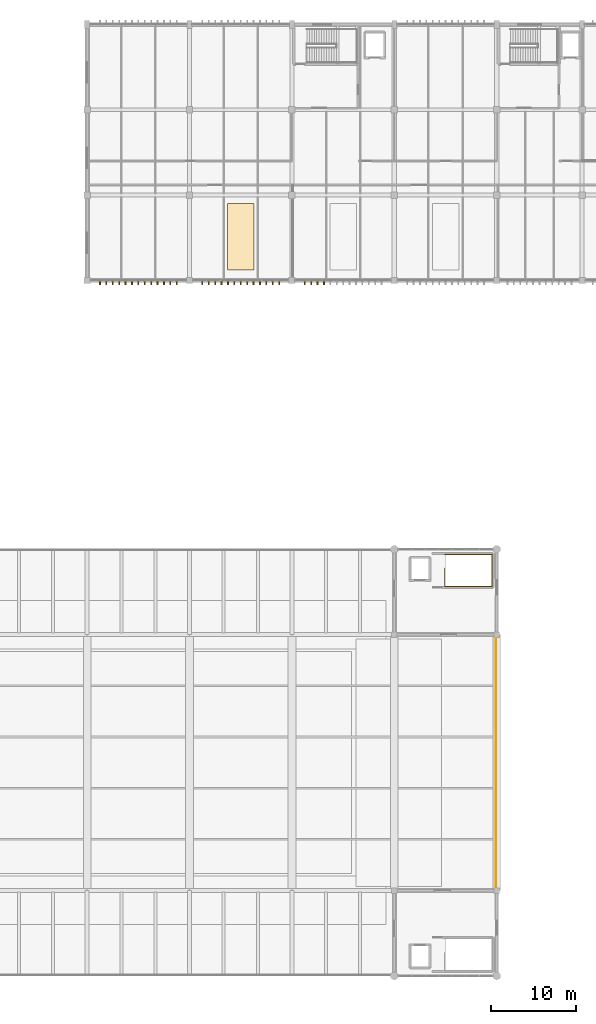
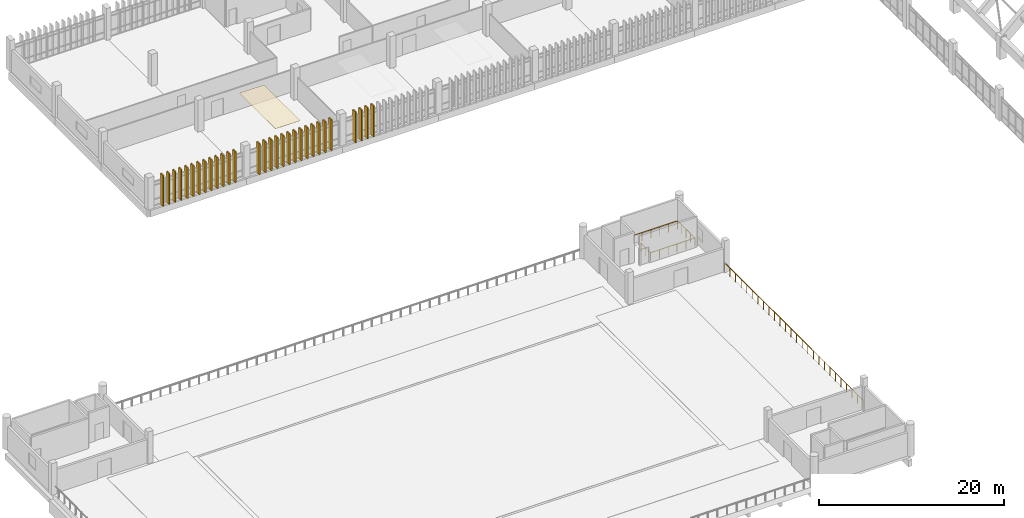
# One storey, part 109 of 111: 30 shading devices, 2 railings, 1 covering.
"""IFC4 building model written with IfcOpenShell, lengths in metres."""

from ifc_helpers import new_model, si_unit, direction, frame, origin, origin_2d, place, context, subcontext, project, spatial, polyline, rectangle, circle, outline, extrude, material, layer, layer_set, type_object, element, save


model = new_model("IFC4")

# Units and contexts
model_context = context("Model", 3, precision=1e-05, world=origin(), true_north=direction((0.0, 1.0)))
body_context = subcontext(model_context, "Body", "Model", "MODEL_VIEW")
ifc_project = project(units=[si_unit("LENGTHUNIT", "METRE"), si_unit("AREAUNIT", "SQUARE_METRE"), si_unit("VOLUMEUNIT", "CUBIC_METRE"), si_unit("PLANEANGLEUNIT", "RADIAN"), si_unit("MASSUNIT", "GRAM", prefix="KILO")], contexts=[model_context])

# Site, building, storey
site_placement = place(None, origin())
site = spatial("IfcSite", under=ifc_project, at=site_placement, CompositionType="ELEMENT")
building_placement = place(site_placement, origin())
building = spatial("IfcBuilding", under=site, at=building_placement, Name="Mersad Railyard Sports Hall", CompositionType="ELEMENT")
storey_placement = place(building_placement, frame((0.0, 0.0, 9.0)))
storey = spatial("IfcBuildingStorey", under=building, at=storey_placement, Name="L02", CompositionType="ELEMENT", Elevation=9.0)

# Covering
ifc_material_1 = material(Name="Gypsum plasterboard", Category="gypsum")
ifc_layer = layer(ifc_material_1, 0.02490234375)
ifc_layer_set = layer_set([ifc_layer], Name="Gypsum plasterboard")
covering_type = type_object("IfcCoveringType", Name="ARC-CV-CL01", PredefinedType="CEILING", material=ifc_layer_set)
covering_placement = place(storey_placement, frame((0.0, 0.0, 3.85498046875)))
element("IfcCovering", 1, at=covering_placement, inside=storey, type_object=covering_type, Name="Acoustic ceiling panel 007", PredefinedType="CEILING", context=body_context, shape_type="SweptSolid", body=[
    extrude(outline(polyline([(59.449951171875, 86.199951171875), (62.550048828125, 86.199951171875), (62.550048828125, 94.0), (59.449951171875, 94.0), (59.449951171875, 86.199951171875)])), origin(), (0.0, 0.0, 1.0), 0.02490234375),
])

# Railings
ifc_material_2 = material(Name="Aluminium 6063-T6", Category="aluminium")
railing_type_1 = type_object("IfcRailingType", Name="ARC-RL-BL01", PredefinedType="BALUSTRADE", material=ifc_material_2)
railing_1_placement = place(storey_placement, frame((90.89990234375, 13.5, 0.0)))
element("IfcRailing", 2, at=railing_1_placement, inside=storey, type_object=railing_type_1, Name="Perimeter guard BL01-0004", PredefinedType="BALUSTRADE", context=body_context, shape_type="SweptSolid", body=[
    extrude(circle(Radius=0.02392578125, at=origin_2d()), frame((0.0, 0.0, 1.09619140625), z_axis=(0.0, 1.0, 0.0), x_axis=(-1.0, 0.0, 0.0)), (0.0, 0.0, 1.0), 30.0),
    extrude(circle(Radius=0.02099609375, at=origin_2d()), origin(), (0.0, 0.0, 1.0), 1.072021484375),
    extrude(circle(Radius=0.02099609375, at=origin_2d()), frame((0.0, 1.199951171875, 0.0)), (0.0, 0.0, 1.0), 1.072021484375),
    extrude(circle(Radius=0.02099609375, at=origin_2d()), frame((0.0, 2.39990234375, 0.0)), (0.0, 0.0, 1.0), 1.072021484375),
    extrude(circle(Radius=0.02099609375, at=origin_2d()), frame((0.0, 3.60009765625, 0.0)), (0.0, 0.0, 1.0), 1.072021484375),
    extrude(circle(Radius=0.02099609375, at=origin_2d()), frame((0.0, 4.800048828125, 0.0)), (0.0, 0.0, 1.0), 1.072021484375),
    extrude(circle(Radius=0.02099609375, at=origin_2d()), frame((0.0, 6.0, 0.0)), (0.0, 0.0, 1.0), 1.072021484375),
    extrude(circle(Radius=0.02099609375, at=origin_2d()), frame((0.0, 7.199951171875, 0.0)), (0.0, 0.0, 1.0), 1.072021484375),
    extrude(circle(Radius=0.02099609375, at=origin_2d()), frame((0.0, 8.39990234375, 0.0)), (0.0, 0.0, 1.0), 1.072021484375),
    extrude(circle(Radius=0.02099609375, at=origin_2d()), frame((0.0, 9.60009765625, 0.0)), (0.0, 0.0, 1.0), 1.072021484375),
    extrude(circle(Radius=0.02099609375, at=origin_2d()), frame((0.0, 10.800048828125, 0.0)), (0.0, 0.0, 1.0), 1.072021484375),
    extrude(circle(Radius=0.02099609375, at=origin_2d()), frame((0.0, 12.0, 0.0)), (0.0, 0.0, 1.0), 1.072021484375),
    extrude(circle(Radius=0.02099609375, at=origin_2d()), frame((0.0, 13.199951171875, 0.0)), (0.0, 0.0, 1.0), 1.072021484375),
    extrude(circle(Radius=0.02099609375, at=origin_2d()), frame((0.0, 14.39990234375, 0.0)), (0.0, 0.0, 1.0), 1.072021484375),
    extrude(circle(Radius=0.02099609375, at=origin_2d()), frame((0.0, 15.60009765625, 0.0)), (0.0, 0.0, 1.0), 1.072021484375),
    extrude(circle(Radius=0.02099609375, at=origin_2d()), frame((0.0, 16.800048828125, 0.0)), (0.0, 0.0, 1.0), 1.072021484375),
    extrude(circle(Radius=0.02099609375, at=origin_2d()), frame((0.0, 18.0, 0.0)), (0.0, 0.0, 1.0), 1.072021484375),
    extrude(circle(Radius=0.02099609375, at=origin_2d()), frame((0.0, 19.199951171875, 0.0)), (0.0, 0.0, 1.0), 1.072021484375),
    extrude(circle(Radius=0.02099609375, at=origin_2d()), frame((0.0, 20.39990234375, 0.0)), (0.0, 0.0, 1.0), 1.072021484375),
    extrude(circle(Radius=0.02099609375, at=origin_2d()), frame((0.0, 21.60009765625, 0.0)), (0.0, 0.0, 1.0), 1.072021484375),
    extrude(circle(Radius=0.02099609375, at=origin_2d()), frame((0.0, 22.800048828125, 0.0)), (0.0, 0.0, 1.0), 1.072021484375),
    extrude(circle(Radius=0.02099609375, at=origin_2d()), frame((0.0, 24.0, 0.0)), (0.0, 0.0, 1.0), 1.072021484375),
    extrude(circle(Radius=0.02099609375, at=origin_2d()), frame((0.0, 25.199951171875, 0.0)), (0.0, 0.0, 1.0), 1.072021484375),
    extrude(circle(Radius=0.02099609375, at=origin_2d()), frame((0.0, 26.39990234375, 0.0)), (0.0, 0.0, 1.0), 1.072021484375),
    extrude(circle(Radius=0.02099609375, at=origin_2d()), frame((0.0, 27.60009765625, 0.0)), (0.0, 0.0, 1.0), 1.072021484375),
    extrude(circle(Radius=0.02099609375, at=origin_2d()), frame((0.0, 28.800048828125, 0.0)), (0.0, 0.0, 1.0), 1.072021484375),
    extrude(circle(Radius=0.02099609375, at=origin_2d()), frame((0.0, 30.0, 0.0)), (0.0, 0.0, 1.0), 1.072021484375),
])
ifc_material_3 = material(Name="Steel S355", Category="steel")
railing_type_2 = type_object("IfcRailingType", Name="ARC-RL-GR01", PredefinedType="GUARDRAIL", material=ifc_material_3)
railing_2_placement = place(storey_placement, frame((84.909912109375, 51.22998046875, 0.0)))
element("IfcRailing", 3, at=railing_2_placement, inside=storey, type_object=railing_type_2, Name="Interior guard GR01-0140", PredefinedType="GUARDRAIL", context=body_context, shape_type="SweptSolid", body=[
    extrude(circle(Radius=0.02392578125, at=origin_2d()), frame((0.0, 0.0, 1.09619140625), z_axis=(0.0, -1.0, 0.0), x_axis=(1.0, 0.0, 0.0)), (0.0, 0.0, 1.0), 2.10986328125),
    extrude(circle(Radius=0.02392578125, at=origin_2d()), frame((0.0, -2.10986328125, 1.09619140625), z_axis=(1.0, 0.0, 0.0), x_axis=(0.0, 1.0, 0.0)), (0.0, 0.0, 1.0), 5.52001953125),
    extrude(circle(Radius=0.02392578125, at=origin_2d()), frame((5.52001953125, -2.10986328125, 1.09619140625), z_axis=(0.0, 1.0, 0.0), x_axis=(-1.0, 0.0, 0.0)), (0.0, 0.0, 1.0), 3.759765625),
    extrude(circle(Radius=0.02392578125, at=origin_2d()), frame((5.52001953125, 1.64990234375, 1.09619140625), z_axis=(-1.0, 0.0, 0.0), x_axis=(0.0, -1.0, 0.0)), (0.0, 0.0, 1.0), 5.52001953125),
    extrude(circle(Radius=0.02099609375, at=origin_2d()), origin(), (0.0, 0.0, 1.0), 1.072021484375),
    extrude(circle(Radius=0.02099609375, at=origin_2d()), frame((0.0, -1.054931640625, 0.0)), (0.0, 0.0, 1.0), 1.072021484375),
    extrude(circle(Radius=0.02099609375, at=origin_2d()), frame((0.0, -2.10986328125, 0.0)), (0.0, 0.0, 1.0), 1.072021484375),
    extrude(circle(Radius=0.02099609375, at=origin_2d()), frame((1.10400390625, -2.10986328125, 0.0)), (0.0, 0.0, 1.0), 1.072021484375),
    extrude(circle(Radius=0.02099609375, at=origin_2d()), frame((2.2080078125, -2.10986328125, 0.0)), (0.0, 0.0, 1.0), 1.072021484375),
    extrude(circle(Radius=0.02099609375, at=origin_2d()), frame((3.31201171875, -2.10986328125, 0.0)), (0.0, 0.0, 1.0), 1.072021484375),
    extrude(circle(Radius=0.02099609375, at=origin_2d()), frame((4.416015625, -2.10986328125, 0.0)), (0.0, 0.0, 1.0), 1.072021484375),
    extrude(circle(Radius=0.02099609375, at=origin_2d()), frame((5.52001953125, -2.10986328125, 0.0)), (0.0, 0.0, 1.0), 1.072021484375),
    extrude(circle(Radius=0.02099609375, at=origin_2d()), frame((5.52001953125, -1.169921875, 0.0)), (0.0, 0.0, 1.0), 1.072021484375),
    extrude(circle(Radius=0.02099609375, at=origin_2d()), frame((5.52001953125, -0.22998046875, 0.0)), (0.0, 0.0, 1.0), 1.072021484375),
    extrude(circle(Radius=0.02099609375, at=origin_2d()), frame((5.52001953125, 0.7099609375, 0.0)), (0.0, 0.0, 1.0), 1.072021484375),
    extrude(circle(Radius=0.02099609375, at=origin_2d()), frame((5.52001953125, 1.64990234375, 0.0)), (0.0, 0.0, 1.0), 1.072021484375),
    extrude(circle(Radius=0.02099609375, at=origin_2d()), frame((4.416015625, 1.64990234375, 0.0)), (0.0, 0.0, 1.0), 1.072021484375),
    extrude(circle(Radius=0.02099609375, at=origin_2d()), frame((3.31201171875, 1.64990234375, 0.0)), (0.0, 0.0, 1.0), 1.072021484375),
    extrude(circle(Radius=0.02099609375, at=origin_2d()), frame((2.2080078125, 1.64990234375, 0.0)), (0.0, 0.0, 1.0), 1.072021484375),
    extrude(circle(Radius=0.02099609375, at=origin_2d()), frame((1.10400390625, 1.64990234375, 0.0)), (0.0, 0.0, 1.0), 1.072021484375),
    extrude(circle(Radius=0.02099609375, at=origin_2d()), frame((0.0, 1.64990234375, 0.0)), (0.0, 0.0, 1.0), 1.072021484375),
])

# Shading devices
ifc_material_4 = material(Name="Precast concrete C45/55", Category="concrete")
shading_device_type = type_object("IfcShadingDeviceType", Name="ARC-SH-FN01", PredefinedType="USERDEFINED", material=ifc_material_4)
for number, where, z_axis, x_axis, name in (
    (4, (44.5, 84.75, -0.10009765625), (0.0, 0.0, 1.0), (1.0, 0.0, 0.0), "Precast sun fin FN01-0385"),
    (5, (45.25, 84.75, -0.10009765625), (0.0, 0.0, 1.0), (1.0, 0.0, 0.0), "Precast sun fin FN01-0386"),
    (6, (46.0, 84.75, -0.10009765625), (0.0, 0.0, 1.0), (1.0, 0.0, 0.0), "Precast sun fin FN01-0387"),
    (7, (46.75, 84.75, -0.10009765625), (0.0, 0.0, 1.0), (1.0, 0.0, 0.0), "Precast sun fin FN01-0388"),
    (8, (47.5, 84.75, -0.10009765625), (0.0, 0.0, 1.0), (1.0, 0.0, 0.0), "Precast sun fin FN01-0389"),
    (9, (48.25, 84.75, -0.10009765625), (0.0, 0.0, 1.0), (1.0, 0.0, 0.0), "Precast sun fin FN01-0390"),
    (10, (49.0, 84.75, -0.10009765625), (0.0, 0.0, 1.0), (1.0, 0.0, 0.0), "Precast sun fin FN01-0391"),
    (11, (49.75, 84.75, -0.10009765625), (0.0, 0.0, 1.0), (1.0, 0.0, 0.0), "Precast sun fin FN01-0392"),
    (12, (50.5, 84.75, -0.10009765625), (0.0, 0.0, 1.0), (1.0, 0.0, 0.0), "Precast sun fin FN01-0393"),
    (13, (51.25, 84.75, -0.10009765625), (0.0, 0.0, 1.0), (1.0, 0.0, 0.0), "Precast sun fin FN01-0394"),
    (14, (52.0, 84.75, -0.10009765625), (0.0, 0.0, 1.0), (1.0, 0.0, 0.0), "Precast sun fin FN01-0395"),
    (15, (52.75, 84.75, -0.10009765625), (0.0, 0.0, 1.0), (1.0, 0.0, 0.0), "Precast sun fin FN01-0396"),
    (16, (53.5, 84.75, -0.10009765625), (0.0, 0.0, 1.0), (1.0, 0.0, 0.0), "Precast sun fin FN01-0397"),
    (17, (56.5, 84.75, -0.10009765625), (0.0, 0.0, 1.0), (1.0, 0.0, 0.0), "Precast sun fin FN01-0398"),
    (18, (57.25, 84.75, -0.10009765625), (0.0, 0.0, 1.0), (1.0, 0.0, 0.0), "Precast sun fin FN01-0399"),
    (19, (58.0, 84.75, -0.10009765625), (0.0, 0.0, 1.0), (1.0, 0.0, 0.0), "Precast sun fin FN01-0400"),
    (20, (58.75, 84.75, -0.10009765625), (0.0, 0.0, 1.0), (1.0, 0.0, 0.0), "Precast sun fin FN01-0401"),
    (21, (59.5, 84.75, -0.10009765625), (0.0, 0.0, 1.0), (1.0, 0.0, 0.0), "Precast sun fin FN01-0402"),
    (22, (60.25, 84.75, -0.10009765625), (0.0, 0.0, 1.0), (1.0, 0.0, 0.0), "Precast sun fin FN01-0403"),
    (23, (61.0, 84.75, -0.10009765625), (0.0, 0.0, 1.0), (1.0, 0.0, 0.0), "Precast sun fin FN01-0404"),
    (24, (61.75, 84.75, -0.10009765625), (0.0, 0.0, 1.0), (1.0, 0.0, 0.0), "Precast sun fin FN01-0405"),
    (25, (62.5, 84.75, -0.10009765625), (0.0, 0.0, 1.0), (1.0, 0.0, 0.0), "Precast sun fin FN01-0406"),
    (26, (63.25, 84.75, -0.10009765625), (0.0, 0.0, 1.0), (1.0, 0.0, 0.0), "Precast sun fin FN01-0407"),
    (27, (64.0, 84.75, -0.10009765625), (0.0, 0.0, 1.0), (1.0, 0.0, 0.0), "Precast sun fin FN01-0408"),
    (28, (64.75, 84.75, -0.10009765625), (0.0, 0.0, 1.0), (1.0, 0.0, 0.0), "Precast sun fin FN01-0409"),
    (29, (65.5, 84.75, -0.10009765625), (0.0, 0.0, 1.0), (1.0, 0.0, 0.0), "Precast sun fin FN01-0410"),
    (30, (68.5, 84.75, -0.10009765625), (0.0, 0.0, 1.0), (1.0, 0.0, 0.0), "Precast sun fin FN01-0411"),
    (31, (69.25, 84.75, -0.10009765625), (0.0, 0.0, 1.0), (1.0, 0.0, 0.0), "Precast sun fin FN01-0412"),
    (32, (70.0, 84.75, -0.10009765625), (0.0, 0.0, 1.0), (1.0, 0.0, 0.0), "Precast sun fin FN01-0413"),
    (33, (70.75, 84.75, -0.10009765625), (0.0, 0.0, 1.0), (1.0, 0.0, 0.0), "Precast sun fin FN01-0414"),
):
    element("IfcShadingDevice", number, at=place(storey_placement, frame(where, z_axis=z_axis, x_axis=x_axis)), inside=storey, type_object=shading_device_type, Name=name, ObjectType="FIN", PredefinedType="USERDEFINED", context=body_context, shape_type="SweptSolid", body=[
        extrude(rectangle(XDim=0.139892578125, YDim=0.550048828125, at=origin_2d()), origin(), (0.0, 0.0, 1.0), 4.080078125),
    ])

save(model, "model.ifc")
